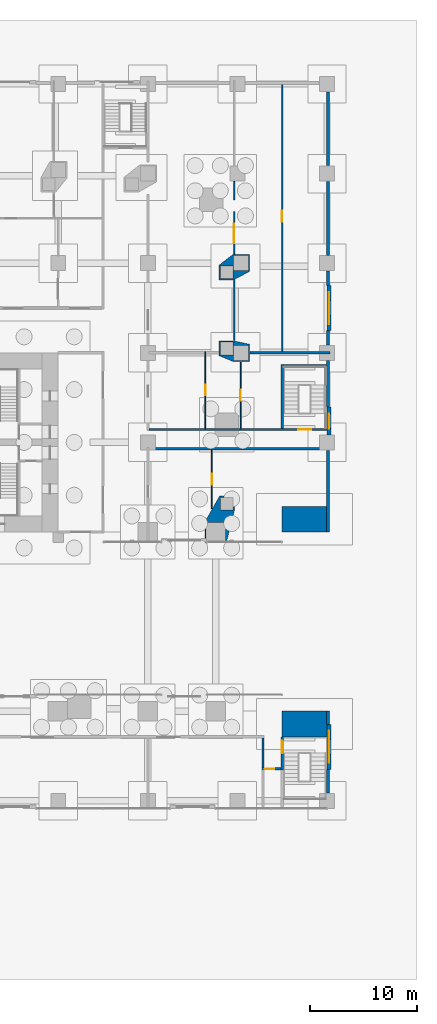
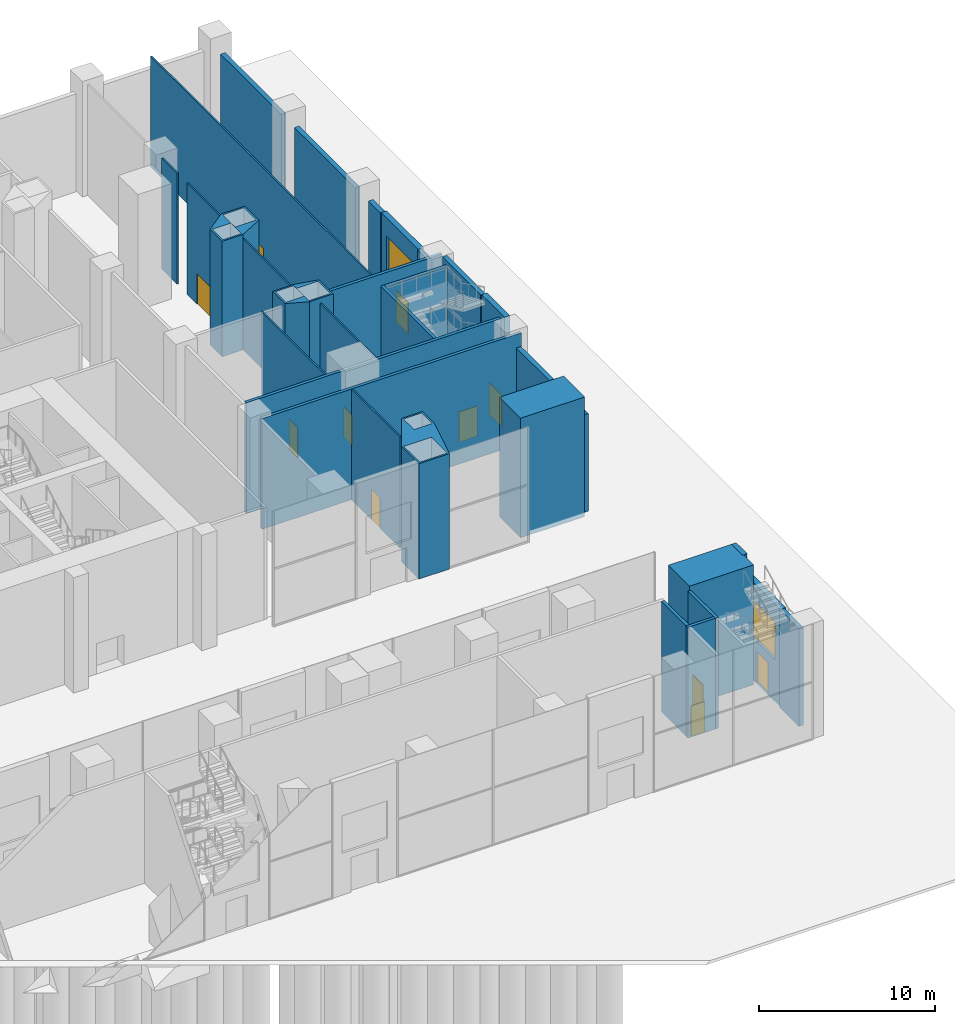
# One storey, part 19 of 31: 31 walls, 11 doors, 2 windows, 13 openings.
"""IFC4 building model written with IfcOpenShell, lengths in metres."""

from ifc_helpers import new_model, si_unit, direction, frame, frame_2d, origin, place, context, subcontext, project, spatial, polyline, rectangle, outline, extrude, material, layer, layer_set, type_object, element, fill, save


model = new_model("IFC4")

# Units and contexts
model_context = context("Model", 3, precision=1e-05, world=origin(), true_north=direction((0.0, 1.0)))
body_context = subcontext(model_context, "Body", "Model", "MODEL_VIEW")
ifc_project = project(units=[si_unit("LENGTHUNIT", "METRE"), si_unit("AREAUNIT", "SQUARE_METRE"), si_unit("VOLUMEUNIT", "CUBIC_METRE"), si_unit("PLANEANGLEUNIT", "RADIAN"), si_unit("MASSUNIT", "GRAM", prefix="KILO")], contexts=[model_context])

# Site, building, storey
site_placement = place(None, origin())
site = spatial("IfcSite", under=ifc_project, at=site_placement, CompositionType="ELEMENT")
building_placement = place(site_placement, origin())
building = spatial("IfcBuilding", under=site, at=building_placement, Name="Marenta Gate Hotel Tower", CompositionType="ELEMENT")
storey_placement = place(building_placement, origin())
storey = spatial("IfcBuildingStorey", under=building, at=storey_placement, Name="L00", CompositionType="ELEMENT", Elevation=0.0)

# Walls
ifc_material_1 = material(Name="Concrete C40 board-marked", Category="concrete")
ifc_layer_1 = layer(ifc_material_1, 0.300048828125)
ifc_layer_set_1 = layer_set([ifc_layer_1], Name="Concrete C40 board-marked")
wall_type_1 = type_object("IfcWallType", Name="Board-marked concrete wall 300 mm", PredefinedType="NOTDEFINED", material=ifc_layer_set_1)
wall_1_placement = place(storey_placement, frame((37.889892578125, -24.4599609375, 0.0), z_axis=(0.0, 0.0, 1.0), x_axis=(0.0, 1.0, 0.0)))
element("IfcWall", 1, at=wall_1_placement, inside=storey, type_object=wall_type_1, Name="L00-CLD-SB-E000", PredefinedType="NOTDEFINED", context=body_context, shape_type="SweptSolid", body=[
    extrude(rectangle(XDim=2.2099609375, YDim=0.300048828125, at=frame_2d((1.10498046875, 0.0))), origin(), (0.0, 0.0, 1.0), 6.780029296875),
])
wall_2_placement = place(storey_placement, frame((37.889892578125, -18.050048828125, 0.0), z_axis=(0.0, 0.0, 1.0), x_axis=(0.0, 1.0, 0.0)))
element("IfcWall", 2, at=wall_2_placement, inside=storey, type_object=wall_type_1, Name="L00-CLD-SB-E001", PredefinedType="NOTDEFINED", context=body_context, shape_type="SweptSolid", body=[
    extrude(rectangle(XDim=1.25, YDim=0.300048828125, at=frame_2d((0.625, 0.0))), origin(), (0.0, 0.0, 1.0), 8.0),
])
wall_3_placement = place(storey_placement, frame((37.889892578125, 0.0, 0.0), z_axis=(0.0, 0.0, 1.0), x_axis=(0.0, 1.0, 0.0)))
element("IfcWall", 3, at=wall_3_placement, inside=storey, type_object=wall_type_1, Name="L00-CLD-NB-E000", PredefinedType="NOTDEFINED", context=body_context, shape_type="SweptSolid", body=[
    extrude(rectangle(XDim=7.659912109375, YDim=0.300048828125, at=frame_2d((3.830078125, 0.0))), origin(), (0.0, 0.0, 1.0), 6.780029296875),
])
wall_4_placement = place(storey_placement, frame((37.889892578125, 11.699951171875, 0.0), z_axis=(0.0, 0.0, 1.0), x_axis=(0.0, 1.0, 0.0)))
element("IfcWall", 4, at=wall_4_placement, inside=storey, type_object=wall_type_1, Name="L00-CLD-NB-E001", PredefinedType="NOTDEFINED", context=body_context, shape_type="SweptSolid", body=[
    extrude(rectangle(XDim=4.360107421875, YDim=0.300048828125, at=frame_2d((2.18017578125, 0.0))), origin(), (0.0, 0.0, 1.0), 8.0),
])
for number, where, z_axis, x_axis, name in (
    (5, (37.889892578125, 17.5400390625, 0.0), (0.0, 0.0, 1.0), (0.0, 1.0, 0.0), "L00-CLD-NB-E002"),
    (6, (37.889892578125, 23.10009765625, 0.0), (0.0, 0.0, 1.0), (0.0, 1.0, 0.0), "L00-CLD-NB-E003"),
):
    element("IfcWall", number, at=place(storey_placement, frame(where, z_axis=z_axis, x_axis=x_axis)), inside=storey, type_object=wall_type_1, Name=name, PredefinedType="NOTDEFINED", context=body_context, shape_type="SweptSolid", body=[
        extrude(rectangle(XDim=1.35986328125, YDim=0.300048828125, at=frame_2d((0.679931640625, 0.0))), origin(), (0.0, 0.0, 1.0), 6.780029296875),
    ])
wall_5_placement = place(storey_placement, frame((37.889892578125, 25.93994140625, 0.0), z_axis=(0.0, 0.0, 1.0), x_axis=(0.0, 1.0, 0.0)))
element("IfcWall", 7, at=wall_5_placement, inside=storey, type_object=wall_type_1, Name="L00-CLD-NB-E004", PredefinedType="NOTDEFINED", context=body_context, shape_type="SweptSolid", body=[
    extrude(rectangle(XDim=6.920166015625, YDim=0.300048828125, at=frame_2d((3.4599609375, 0.0))), origin(), (0.0, 0.0, 1.0), 6.780029296875),
])
wall_6_placement = place(storey_placement, frame((37.889892578125, 34.340087890625, 0.0), z_axis=(0.0, 0.0, 1.0), x_axis=(0.0, 1.0, 0.0)))
element("IfcWall", 8, at=wall_6_placement, inside=storey, type_object=wall_type_1, Name="L00-CLD-NB-E005", PredefinedType="NOTDEFINED", context=body_context, shape_type="SweptSolid", body=[
    extrude(rectangle(XDim=6.919921875, YDim=0.300048828125, at=frame_2d((3.4599609375, 0.0))), origin(), (0.0, 0.0, 1.0), 6.780029296875),
])

# Wall, openings, door, window
ifc_material_2 = material(Name="Concrete C40 board-marked", Category="concrete")
ifc_layer_2 = layer(ifc_material_2, 0.35009765625)
ifc_layer_set_2 = layer_set([ifc_layer_2], Name="Concrete C40 board-marked")
wall_type_2 = type_object("IfcWallType", Name="Entrance portal wall 350 mm", PredefinedType="NOTDEFINED", material=ifc_layer_set_2)
wall_7_placement = place(storey_placement, frame((37.97509765625, -22.25, 0.0), z_axis=(0.0, 0.0, 1.0), x_axis=(0.0, 1.0, 0.0)))
wall_7 = element("IfcWall", 9, at=wall_7_placement, inside=storey, type_object=wall_type_2, Name="L00-CLD-SB-E-P0", PredefinedType="NOTDEFINED", context=body_context, shape_type="SweptSolid", body=[
    extrude(rectangle(XDim=4.199951171875, YDim=0.35009765625, at=frame_2d((2.10009765625, 0.0))), origin(), (0.0, 0.0, 1.0), 6.780029296875),
])
opening_1_placement = place(wall_7_placement, frame((1.39990234375, 0.0, 0.0)))
opening_1 = element("IfcOpeningElement", 10, at=opening_1_placement, cuts=wall_7, Name="Opening X06", PredefinedType="OPENING", context=body_context, shape_type="SweptSolid", body=[
    extrude(rectangle(XDim=1.39990234375, YDim=2.199951171875, at=frame_2d((0.699951171875, 1.10009765625))), frame((0.0, 0.175048828125, 0.0), z_axis=(0.0, -1.0, 0.0), x_axis=(1.0, 0.0, 0.0)), (0.0, 0.0, 1.0), 0.35009765625),
])
opening_2_placement = place(wall_7_placement, frame((0.60009765625, 0.0, 2.89990234375)))
opening_2 = element("IfcOpeningElement", 11, at=opening_2_placement, cuts=wall_7, Name="Opening WT", PredefinedType="OPENING", context=body_context, shape_type="SweptSolid", body=[
    extrude(rectangle(XDim=3.0, YDim=2.60009765625, at=frame_2d((1.5, 1.300048828125))), frame((0.0, 0.175048828125, 0.0), z_axis=(0.0, -1.0, 0.0), x_axis=(1.0, 0.0, 0.0)), (0.0, 0.0, 1.0), 0.35009765625),
])
ifc_material_3 = material(Name="Bronze anodised aluminium and glass", Category="aluminium")
door_type_1 = type_object("IfcDoorType", Name="Exterior door XB 1400x2200", OperationType="NOTDEFINED", PredefinedType="DOOR", material=ifc_material_3)
door_1_placement = place(opening_1_placement, frame((1.39990234375, 0.0, 0.0), z_axis=(0.0, 0.0, 1.0), x_axis=(-1.0, 0.0, 0.0)))
door_1 = element("IfcDoor", 12, at=door_1_placement, inside=storey, type_object=door_type_1, Name="Entrance door X06", OperationType="SINGLE_SWING_LEFT", OverallHeight=2.199951171875, OverallWidth=1.39990234375, PredefinedType="DOOR", context=body_context, shape_type="SweptSolid", body=[
    extrude(rectangle(XDim=1.39990234375, YDim=2.199951171875, at=frame_2d((0.699951171875, 1.10009765625))), frame((0.0, 0.02490234375, 0.0), z_axis=(0.0, -1.0, 0.0), x_axis=(1.0, 0.0, 0.0)), (0.0, 0.0, 1.0), 0.050048828125),
])
fill(opening_1, door_1)
ifc_material_4 = material(Name="Tinted insulated glass in bronze anodised frame", Category="glass")
window_type = type_object("IfcWindowType", Name="Window WT 3000x2600 bronze frame", PartitioningType="SINGLE_PANEL", PredefinedType="WINDOW", material=ifc_material_4)
window_1_placement = place(opening_2_placement, origin())
window_1 = element("IfcWindow", 13, at=window_1_placement, inside=storey, type_object=window_type, Name="Window WT", OverallHeight=2.60009765625, OverallWidth=3.0, PartitioningType="SINGLE_PANEL", PredefinedType="WINDOW", context=body_context, shape_type="SweptSolid", body=[
    extrude(rectangle(XDim=3.0, YDim=2.60009765625, at=frame_2d((1.5, 1.300048828125))), frame((0.0, 0.030029296875, 0.0), z_axis=(0.0, -1.0, 0.0), x_axis=(1.0, 0.0, 0.0)), (0.0, 0.0, 1.0), 0.06005859375),
])
fill(opening_2, window_1)

wall_8_placement = place(storey_placement, frame((37.97509765625, 18.89990234375, 0.0), z_axis=(0.0, 0.0, 1.0), x_axis=(0.0, 1.0, 0.0)))
wall_8 = element("IfcWall", 14, at=wall_8_placement, inside=storey, type_object=wall_type_2, Name="L00-CLD-NB-E-P0", PredefinedType="NOTDEFINED", context=body_context, shape_type="SweptSolid", body=[
    extrude(rectangle(XDim=4.2001953125, YDim=0.35009765625, at=frame_2d((2.10009765625, 0.0))), origin(), (0.0, 0.0, 1.0), 6.780029296875),
])
opening_3_placement = place(wall_8_placement, frame((1.39990234375, 0.0, 0.0)))
opening_3 = element("IfcOpeningElement", 15, at=opening_3_placement, cuts=wall_8, Name="Opening X14", PredefinedType="OPENING", context=body_context, shape_type="SweptSolid", body=[
    extrude(rectangle(XDim=1.39990234375, YDim=2.199951171875, at=frame_2d((0.699951171875, 1.10009765625))), frame((0.0, 0.175048828125, 0.0), z_axis=(0.0, -1.0, 0.0), x_axis=(1.0, 0.0, 0.0)), (0.0, 0.0, 1.0), 0.35009765625),
])
opening_4_placement = place(wall_8_placement, frame((0.60009765625, 0.0, 2.89990234375)))
opening_4 = element("IfcOpeningElement", 16, at=opening_4_placement, cuts=wall_8, Name="Opening WT", PredefinedType="OPENING", context=body_context, shape_type="SweptSolid", body=[
    extrude(rectangle(XDim=3.0, YDim=2.60009765625, at=frame_2d((1.5, 1.300048828125))), frame((0.0, 0.175048828125, 0.0), z_axis=(0.0, -1.0, 0.0), x_axis=(1.0, 0.0, 0.0)), (0.0, 0.0, 1.0), 0.35009765625),
])
door_2_placement = place(opening_3_placement, frame((1.39990234375, 0.0, 0.0), z_axis=(0.0, 0.0, 1.0), x_axis=(-1.0, 0.0, 0.0)))
door_2 = element("IfcDoor", 17, at=door_2_placement, inside=storey, type_object=door_type_1, Name="Entrance door X14", OperationType="SINGLE_SWING_LEFT", OverallHeight=2.199951171875, OverallWidth=1.39990234375, PredefinedType="DOOR", context=body_context, shape_type="SweptSolid", body=[
    extrude(rectangle(XDim=1.39990234375, YDim=2.199951171875, at=frame_2d((0.699951171875, 1.10009765625))), frame((0.0, 0.02490234375, 0.0), z_axis=(0.0, -1.0, 0.0), x_axis=(1.0, 0.0, 0.0)), (0.0, 0.0, 1.0), 0.050048828125),
])
fill(opening_3, door_2)
window_2_placement = place(opening_4_placement, origin())
window_2 = element("IfcWindow", 18, at=window_2_placement, inside=storey, type_object=window_type, Name="Window WT", OverallHeight=2.60009765625, OverallWidth=3.0, PartitioningType="SINGLE_PANEL", PredefinedType="WINDOW", context=body_context, shape_type="SweptSolid", body=[
    extrude(rectangle(XDim=3.0, YDim=2.60009765625, at=frame_2d((1.5, 1.300048828125))), frame((0.0, 0.030029296875, 0.0), z_axis=(0.0, -1.0, 0.0), x_axis=(1.0, 0.0, 0.0)), (0.0, 0.0, 1.0), 0.06005859375),
])
fill(opening_4, window_2)

# Wall, opening, door
wall_9_placement = place(storey_placement, frame((37.97509765625, 9.10009765625, 0.0), z_axis=(0.0, 0.0, 1.0), x_axis=(0.0, 1.0, 0.0)))
wall_9 = element("IfcWall", 19, at=wall_9_placement, inside=storey, type_object=wall_type_2, Name="L00-CLD-NB-E-P1", PredefinedType="NOTDEFINED", context=body_context, shape_type="SweptSolid", body=[
    extrude(rectangle(XDim=2.599853515625, YDim=0.35009765625, at=frame_2d((1.2998046875, 0.0))), origin(), (0.0, 0.0, 1.0), 8.0),
])
opening_5_placement = place(wall_9_placement, frame((0.60009765625, 0.0, 0.0)))
opening_5 = element("IfcOpeningElement", 20, at=opening_5_placement, cuts=wall_9, Name="Opening X15", PredefinedType="OPENING", context=body_context, shape_type="SweptSolid", body=[
    extrude(rectangle(XDim=1.39990234375, YDim=2.199951171875, at=frame_2d((0.699951171875, 1.10009765625))), frame((0.0, 0.175048828125, 0.0), z_axis=(0.0, -1.0, 0.0), x_axis=(1.0, 0.0, 0.0)), (0.0, 0.0, 1.0), 0.35009765625),
])
door_3_placement = place(opening_5_placement, frame((1.39990234375, 0.0, 0.0), z_axis=(0.0, 0.0, 1.0), x_axis=(-1.0, 0.0, 0.0)))
door_3 = element("IfcDoor", 21, at=door_3_placement, inside=storey, type_object=door_type_1, Name="Entrance door X15", OperationType="SINGLE_SWING_LEFT", OverallHeight=2.199951171875, OverallWidth=1.39990234375, PredefinedType="DOOR", context=body_context, shape_type="SweptSolid", body=[
    extrude(rectangle(XDim=1.39990234375, YDim=2.199951171875, at=frame_2d((0.699951171875, 1.10009765625))), frame((0.0, 0.02490234375, 0.0), z_axis=(0.0, -1.0, 0.0), x_axis=(1.0, 0.0, 0.0)), (0.0, 0.0, 1.0), 0.050048828125),
])
fill(opening_5, door_3)

# Walls
ifc_material_5 = material(Name="Concrete C80", Category="concrete")
ifc_layer_3 = layer(ifc_material_5, 2.39990234375)
ifc_layer_set_3 = layer_set([ifc_layer_3], Name="Concrete C80")
wall_type_3 = type_object("IfcWallType", Name="Gate pier wall 2400 C80", PredefinedType="SOLIDWALL", material=ifc_layer_set_3)
for number, where, z_axis, x_axis, name in (
    (22, (33.60009765625, -18.0, -0.300048828125), (0.0, 0.0, 1.0), (1.0, 0.0, 0.0), "PW1 L00-PWL-ES"),
    (23, (33.60009765625, 1.199951171875, -0.300048828125), (0.0, 0.0, 1.0), (1.0, 0.0, 0.0), "PW1 L00-PWL-EN"),
):
    element("IfcWall", number, at=place(storey_placement, frame(where, z_axis=z_axis, x_axis=x_axis)), inside=storey, type_object=wall_type_3, Name=name, PredefinedType="SOLIDWALL", context=body_context, shape_type="SweptSolid", body=[
        extrude(rectangle(XDim=4.199951171875, YDim=2.39990234375, at=frame_2d((2.10009765625, 0.0))), origin(), (0.0, 0.0, 1.0), 8.300048828125),
    ])
ifc_material_6 = material(Name="Concrete C70", Category="concrete")
ifc_layer_4 = layer(ifc_material_6, 1.60009765625)
ifc_layer_set_4 = layer_set([ifc_layer_4], Name="Concrete C70")
wall_type_4 = type_object("IfcWallType", Name="Pier wall board-marked concrete C70", PredefinedType="SOLIDWALL", material=ifc_layer_set_4)
wall_10_placement = place(storey_placement, origin())
element("IfcWall", 24, at=wall_10_placement, inside=storey, type_object=wall_type_4, Name="L00-PIER-10", PredefinedType="SOLIDWALL", context=body_context, shape_type="SweptSolid", body=[
    extrude(outline(polyline([(28.97900390625, 26.02001953125), (30.5400390625, 26.02001953125), (30.5400390625, 24.427490234375), (29.029541015625, 23.636474609375), (27.679931640625, 23.636474609375), (27.679931640625, 25.015380859375), (28.97900390625, 26.02001953125)]), holes=[polyline([(30.419921875, 24.5), (30.419921875, 25.89990234375), (29.02001953125, 25.89990234375), (29.02001953125, 24.5), (30.419921875, 24.5)]), polyline([(29.0, 23.75634765625), (29.0, 24.956298828125), (27.800048828125, 24.956298828125), (27.800048828125, 23.75634765625), (29.0, 23.75634765625)])]), origin(), (0.0, 0.0, 1.0), 8.0),
])
wall_11_placement = place(storey_placement, origin())
element("IfcWall", 25, at=wall_11_placement, inside=storey, type_object=wall_type_4, Name="L00-PIER-11", PredefinedType="SOLIDWALL", context=body_context, shape_type="SweptSolid", body=[
    extrude(outline(polyline([(27.679931640625, 16.52294921875), (27.679931640625, 17.923095703125), (29.0126953125, 17.923095703125), (30.5400390625, 17.59716796875), (30.5400390625, 15.97998046875), (28.996337890625, 15.97998046875), (27.679931640625, 16.52294921875)]), holes=[polyline([(29.02001953125, 16.10009765625), (30.419921875, 16.10009765625), (30.419921875, 17.5), (29.02001953125, 17.5), (29.02001953125, 16.10009765625)]), polyline([(27.800048828125, 16.603271484375), (29.0, 16.603271484375), (29.0, 17.80322265625), (27.800048828125, 17.80322265625), (27.800048828125, 16.603271484375)])]), origin(), (0.0, 0.0, 1.0), 8.0),
])
wall_12_placement = place(storey_placement, origin())
element("IfcWall", 26, at=wall_12_placement, inside=storey, type_object=wall_type_4, Name="L00-PIER-12", PredefinedType="SOLIDWALL", context=body_context, shape_type="SweptSolid", body=[
    extrude(outline(polyline([(27.730224609375, 3.369140625), (29.1201171875, 3.369140625), (29.1201171875, 2.034423828125), (28.356689453125, -1.02001953125), (26.343017578125, -1.02001953125), (26.343017578125, 0.931640625), (27.730224609375, 3.369140625)]), holes=[polyline([(29.0, 2.049072265625), (29.0, 3.2490234375), (27.800048828125, 3.2490234375), (27.800048828125, 2.049072265625), (29.0, 2.049072265625)]), polyline([(28.262939453125, -0.89990234375), (28.262939453125, 0.89990234375), (26.462890625, 0.89990234375), (26.462890625, -0.89990234375), (28.262939453125, -0.89990234375)])]), origin(), (0.0, 0.0, 1.0), 8.0),
])

# Wall, opening, door
ifc_material_7 = material(Name="Concrete blockwork", Category="masonry")
ifc_layer_5 = layer(ifc_material_7, 0.199951171875)
ifc_layer_set_5 = layer_set([ifc_layer_5], Name="Concrete blockwork")
wall_type_5 = type_object("IfcWallType", Name="Room corridor wall 200 REI 180", PredefinedType="PARTITIONING", material=ifc_layer_set_5)
wall_13_placement = place(storey_placement, frame((33.60009765625, -22.300048828125, 0.0), z_axis=(0.0, 0.0, 1.0), x_axis=(0.0, 1.0, 0.0)))
wall_13 = element("IfcWall", 27, at=wall_13_placement, inside=storey, type_object=wall_type_5, Name="L00-PTN-W003", PredefinedType="PARTITIONING", context=body_context, shape_type="SweptSolid", body=[
    extrude(rectangle(XDim=3.10009765625, YDim=0.199951171875, at=frame_2d((1.550048828125, 0.0))), origin(), (0.0, 0.0, 1.0), 7.679931640625),
])
opening_6_placement = place(wall_13_placement, frame((1.550048828125, 0.0, 0.0)))
opening_6 = element("IfcOpeningElement", 28, at=opening_6_placement, cuts=wall_13, Name="Opening S01-28", PredefinedType="OPENING", context=body_context, shape_type="SweptSolid", body=[
    extrude(rectangle(XDim=1.199951171875, YDim=2.10009765625, at=frame_2d((0.60009765625, 1.050048828125))), frame((0.0, 0.10009765625, 0.0), z_axis=(0.0, -1.0, 0.0), x_axis=(1.0, 0.0, 0.0)), (0.0, 0.0, 1.0), 0.199951171875),
])
ifc_material_8 = material(Name="Hollow steel door set", Category="steel")
door_type_2 = type_object("IfcDoorType", Name="Podium stair door 1200x2100 EI 60", OperationType="NOTDEFINED", PredefinedType="DOOR", material=ifc_material_8)
door_4_placement = place(opening_6_placement, origin())
door_4 = element("IfcDoor", 29, at=door_4_placement, inside=storey, type_object=door_type_2, Name="L00-PD-D028", OperationType="SINGLE_SWING_LEFT", OverallHeight=2.10009765625, OverallWidth=1.199951171875, PredefinedType="DOOR", context=body_context, shape_type="SweptSolid", body=[
    extrude(rectangle(XDim=1.199951171875, YDim=2.10009765625, at=frame_2d((0.60009765625, 1.050048828125))), frame((0.0, 0.02490234375, 0.0), z_axis=(0.0, -1.0, 0.0), x_axis=(1.0, 0.0, 0.0)), (0.0, 0.0, 1.0), 0.050048828125),
])
fill(opening_6, door_4)

# Wall
wall_14_placement = place(storey_placement, frame((31.800048828125, -22.10009765625, 0.0), z_axis=(0.0, 0.0, 1.0), x_axis=(0.0, 1.0, 0.0)))
element("IfcWall", 30, at=wall_14_placement, inside=storey, type_object=wall_type_5, Name="L00-PTN-W006", PredefinedType="PARTITIONING", context=body_context, shape_type="SweptSolid", body=[
    extrude(rectangle(XDim=2.800048828125, YDim=0.199951171875, at=frame_2d((1.39990234375, 0.0))), origin(), (0.0, 0.0, 1.0), 7.679931640625),
])

# Wall, opening, door
wall_15_placement = place(storey_placement, frame((31.699951171875, -22.199951171875, 0.0), z_axis=(0.0, 0.0, 1.0), x_axis=(1.0, 0.0, 0.0)))
wall_15 = element("IfcWall", 31, at=wall_15_placement, inside=storey, type_object=wall_type_5, Name="L00-PTN-W015", PredefinedType="PARTITIONING", context=body_context, shape_type="SweptSolid", body=[
    extrude(rectangle(XDim=1.800048828125, YDim=0.199951171875, at=frame_2d((0.89990234375, 0.0))), origin(), (0.0, 0.0, 1.0), 7.679931640625),
])
opening_7_placement = place(wall_15_placement, frame((0.25, 0.0, 0.0)))
opening_7 = element("IfcOpeningElement", 32, at=opening_7_placement, cuts=wall_15, Name="Opening S01-29", PredefinedType="OPENING", context=body_context, shape_type="SweptSolid", body=[
    extrude(rectangle(XDim=0.89990234375, YDim=2.10009765625, at=frame_2d((0.449951171875, 1.050048828125))), frame((0.0, 0.10009765625, 0.0), z_axis=(0.0, -1.0, 0.0), x_axis=(1.0, 0.0, 0.0)), (0.0, 0.0, 1.0), 0.199951171875),
])
ifc_material_9 = material(Name="Hollow steel door set", Category="steel")
door_type_3 = type_object("IfcDoorType", Name="Room service door 900x2100 EI 60", OperationType="NOTDEFINED", PredefinedType="DOOR", material=ifc_material_9)
door_5_placement = place(opening_7_placement, origin())
door_5 = element("IfcDoor", 33, at=door_5_placement, inside=storey, type_object=door_type_3, Name="L00-PD-D029", OperationType="SINGLE_SWING_RIGHT", OverallHeight=2.10009765625, OverallWidth=0.89990234375, PredefinedType="DOOR", context=body_context, shape_type="SweptSolid", body=[
    extrude(rectangle(XDim=0.89990234375, YDim=2.10009765625, at=frame_2d((0.449951171875, 1.050048828125))), frame((0.0, 0.02490234375, 0.0), z_axis=(0.0, -1.0, 0.0), x_axis=(1.0, 0.0, 0.0)), (0.0, 0.0, 1.0), 0.050048828125),
])
fill(opening_7, door_5)

# Wall
wall_16_placement = place(storey_placement, frame((21.10009765625, 7.800048828125, 0.0), z_axis=(0.0, 0.0, 1.0), x_axis=(1.0, 0.0, 0.0)))
element("IfcWall", 34, at=wall_16_placement, inside=storey, type_object=wall_type_5, Name="L00-PTN-W041", PredefinedType="PARTITIONING", context=body_context, shape_type="SweptSolid", body=[
    extrude(rectangle(XDim=17.0, YDim=0.199951171875, at=frame_2d((8.5, 0.0))), origin(), (0.0, 0.0, 1.0), 7.679931640625),
])

# Wall, opening, door
wall_17_placement = place(storey_placement, frame((21.10009765625, 9.60009765625, 0.0), z_axis=(0.0, 0.0, 1.0), x_axis=(1.0, 0.0, 0.0)))
wall_17 = element("IfcWall", 35, at=wall_17_placement, inside=storey, type_object=wall_type_5, Name="L00-PTN-W044", PredefinedType="PARTITIONING", context=body_context, shape_type="SweptSolid", body=[
    extrude(rectangle(XDim=16.699951171875, YDim=0.199951171875, at=frame_2d((8.35009765625, 0.0))), origin(), (0.0, 0.0, 1.0), 7.679931640625),
])
opening_8_placement = place(wall_17_placement, frame((14.0, 0.0, 0.0)))
opening_8 = element("IfcOpeningElement", 36, at=opening_8_placement, cuts=wall_17, Name="Opening S01-40", PredefinedType="OPENING", context=body_context, shape_type="SweptSolid", body=[
    extrude(rectangle(XDim=1.199951171875, YDim=2.10009765625, at=frame_2d((0.60009765625, 1.050048828125))), frame((0.0, 0.10009765625, 0.0), z_axis=(0.0, -1.0, 0.0), x_axis=(1.0, 0.0, 0.0)), (0.0, 0.0, 1.0), 0.199951171875),
])
door_6_placement = place(opening_8_placement, origin())
door_6 = element("IfcDoor", 37, at=door_6_placement, inside=storey, type_object=door_type_2, Name="L00-PD-D040", OperationType="SINGLE_SWING_LEFT", OverallHeight=2.10009765625, OverallWidth=1.199951171875, PredefinedType="DOOR", context=body_context, shape_type="SweptSolid", body=[
    extrude(rectangle(XDim=1.199951171875, YDim=2.10009765625, at=frame_2d((0.60009765625, 1.050048828125))), frame((0.0, 0.02490234375, 0.0), z_axis=(0.0, -1.0, 0.0), x_axis=(1.0, 0.0, 0.0)), (0.0, 0.0, 1.0), 0.050048828125),
])
fill(opening_8, door_6)

ifc_material_10 = material(Name="Gypsum board on steel stud", Category="steel")
ifc_layer_6 = layer(ifc_material_10, 0.10009765625)
ifc_layer_set_6 = layer_set([ifc_layer_6], Name="Gypsum board on steel stud")
wall_type_6 = type_object("IfcWallType", Name="Room partition 100", PredefinedType="PARTITIONING", material=ifc_layer_set_6)
wall_18_placement = place(storey_placement, frame((33.60009765625, 16.89990234375, 0.0), z_axis=(0.0, 0.0, 1.0), x_axis=(0.0, 1.0, 0.0)))
wall_18 = element("IfcWall", 38, at=wall_18_placement, inside=storey, type_object=wall_type_6, Name="L00-PTN-W004", PredefinedType="PARTITIONING", context=body_context, shape_type="SweptSolid", body=[
    extrude(rectangle(XDim=25.0400390625, YDim=0.10009765625, at=frame_2d((12.52001953125, 0.0))), origin(), (0.0, 0.0, 1.0), 7.679931640625),
])
opening_9_placement = place(wall_18_placement, frame((12.199951171875, 0.0, 0.0)))
opening_9 = element("IfcOpeningElement", 39, at=opening_9_placement, cuts=wall_18, Name="Opening S01-16", PredefinedType="OPENING", context=body_context, shape_type="SweptSolid", body=[
    extrude(rectangle(XDim=1.0, YDim=2.10009765625, at=frame_2d((0.5, 1.050048828125))), frame((0.0, 0.050048828125, 0.0), z_axis=(0.0, -1.0, 0.0), x_axis=(1.0, 0.0, 0.0)), (0.0, 0.0, 1.0), 0.10009765625),
])
ifc_material_11 = material(Name="Hollow steel door set", Category="steel")
door_type_4 = type_object("IfcDoorType", Name="Room service door 1000x2100", OperationType="NOTDEFINED", PredefinedType="DOOR", material=ifc_material_11)
door_7_placement = place(opening_9_placement, origin())
door_7 = element("IfcDoor", 40, at=door_7_placement, inside=storey, type_object=door_type_4, Name="L00-PD-D016", OperationType="SINGLE_SWING_RIGHT", OverallHeight=2.10009765625, OverallWidth=1.0, PredefinedType="DOOR", context=body_context, shape_type="SweptSolid", body=[
    extrude(rectangle(XDim=1.0, YDim=2.10009765625, at=frame_2d((0.5, 1.050048828125))), frame((0.0, 0.02490234375, 0.0), z_axis=(0.0, -1.0, 0.0), x_axis=(1.0, 0.0, 0.0)), (0.0, 0.0, 1.0), 0.050048828125),
])
fill(opening_9, door_7)

wall_19_placement = place(storey_placement, frame((29.699951171875, 9.699951171875, 0.0), z_axis=(0.0, 0.0, 1.0), x_axis=(0.0, 1.0, 0.0)))
wall_19 = element("IfcWall", 41, at=wall_19_placement, inside=storey, type_object=wall_type_6, Name="L00-PTN-W007", PredefinedType="PARTITIONING", context=body_context, shape_type="SweptSolid", body=[
    extrude(rectangle(XDim=6.22998046875, YDim=0.10009765625, at=frame_2d((3.114990234375, 0.0))), origin(), (0.0, 0.0, 1.0), 7.679931640625),
])
opening_10_placement = place(wall_19_placement, frame((2.614990234375, 0.0, 0.0)))
opening_10 = element("IfcOpeningElement", 42, at=opening_10_placement, cuts=wall_19, Name="Opening S01-14", PredefinedType="OPENING", context=body_context, shape_type="SweptSolid", body=[
    extrude(rectangle(XDim=1.0, YDim=2.10009765625, at=frame_2d((0.5, 1.050048828125))), frame((0.0, 0.050048828125, 0.0), z_axis=(0.0, -1.0, 0.0), x_axis=(1.0, 0.0, 0.0)), (0.0, 0.0, 1.0), 0.10009765625),
])
door_8_placement = place(opening_10_placement, origin())
door_8 = element("IfcDoor", 43, at=door_8_placement, inside=storey, type_object=door_type_4, Name="L00-PD-D014", OperationType="SINGLE_SWING_RIGHT", OverallHeight=2.10009765625, OverallWidth=1.0, PredefinedType="DOOR", context=body_context, shape_type="SweptSolid", body=[
    extrude(rectangle(XDim=1.0, YDim=2.10009765625, at=frame_2d((0.5, 1.050048828125))), frame((0.0, 0.02490234375, 0.0), z_axis=(0.0, -1.0, 0.0), x_axis=(1.0, 0.0, 0.0)), (0.0, 0.0, 1.0), 0.050048828125),
])
fill(opening_10, door_8)

# Wall
wall_20_placement = place(storey_placement, frame((29.10009765625, 17.9560546875, 0.0), z_axis=(0.0, 0.0, 1.0), x_axis=(0.0, 1.0, 0.0)))
element("IfcWall", 44, at=wall_20_placement, inside=storey, type_object=wall_type_6, Name="L00-PTN-W008", PredefinedType="PARTITIONING", context=body_context, shape_type="SweptSolid", body=[
    extrude(rectangle(XDim=5.69482421875, YDim=0.10009765625, at=frame_2d((2.847412109375, 0.0))), origin(), (0.0, 0.0, 1.0), 7.679931640625),
])

# Wall, opening, door
wall_21_placement = place(storey_placement, frame((29.10009765625, 26.0400390625, 0.0), z_axis=(0.0, 0.0, 1.0), x_axis=(0.0, 1.0, 0.0)))
wall_21 = element("IfcWall", 45, at=wall_21_placement, inside=storey, type_object=wall_type_6, Name="L00-PTN-W009", PredefinedType="PARTITIONING", context=body_context, shape_type="SweptSolid", body=[
    extrude(rectangle(XDim=3.995849609375, YDim=0.10009765625, at=frame_2d((1.998046875, 0.0))), origin(), (0.0, 0.0, 1.0), 7.679931640625),
])
opening_11_placement = place(wall_21_placement, frame((1.048095703125, 0.0, 0.0)))
opening_11 = element("IfcOpeningElement", 46, at=opening_11_placement, cuts=wall_21, Name="Opening S01-42", PredefinedType="OPENING", context=body_context, shape_type="SweptSolid", body=[
    extrude(rectangle(XDim=1.800048828125, YDim=2.10009765625, at=frame_2d((0.89990234375, 1.050048828125))), frame((0.0, 0.050048828125, 0.0), z_axis=(0.0, -1.0, 0.0), x_axis=(1.0, 0.0, 0.0)), (0.0, 0.0, 1.0), 0.10009765625),
])
ifc_material_12 = material(Name="Timber door leaf", Category="wood")
door_type_5 = type_object("IfcDoorType", Name="Room amenity door 1800x2100", OperationType="DOUBLE_DOOR_SINGLE_SWING", PredefinedType="DOOR", material=ifc_material_12)
door_9_placement = place(opening_11_placement, origin())
door_9 = element("IfcDoor", 47, at=door_9_placement, inside=storey, type_object=door_type_5, Name="L00-PD-D042", OperationType="DOUBLE_DOOR_SINGLE_SWING", OverallHeight=2.10009765625, OverallWidth=1.800048828125, PredefinedType="DOOR", context=body_context, shape_type="SweptSolid", body=[
    extrude(rectangle(XDim=1.800048828125, YDim=2.10009765625, at=frame_2d((0.89990234375, 1.050048828125))), frame((0.0, 0.02490234375, 0.0), z_axis=(0.0, -1.0, 0.0), x_axis=(1.0, 0.0, 0.0)), (0.0, 0.0, 1.0), 0.050048828125),
])
fill(opening_11, door_9)

# Wall
wall_22_placement = place(storey_placement, frame((29.10009765625, 31.135986328125, 0.0), z_axis=(0.0, 0.0, 1.0), x_axis=(0.0, 1.0, 0.0)))
element("IfcWall", 48, at=wall_22_placement, inside=storey, type_object=wall_type_6, Name="L00-PTN-W010", PredefinedType="PARTITIONING", context=body_context, shape_type="SweptSolid", body=[
    extrude(rectangle(XDim=1.743896484375, YDim=0.10009765625, at=frame_2d((0.8720703125, 0.0))), origin(), (0.0, 0.0, 1.0), 7.679931640625),
])

# Wall, opening, door
wall_23_placement = place(storey_placement, frame((27.0, 2.18701171875, 0.0), z_axis=(0.0, 0.0, 1.0), x_axis=(0.0, 1.0, 0.0)))
wall_23 = element("IfcWall", 49, at=wall_23_placement, inside=storey, type_object=wall_type_6, Name="L00-PTN-W012", PredefinedType="PARTITIONING", context=body_context, shape_type="SweptSolid", body=[
    extrude(rectangle(XDim=5.512939453125, YDim=0.10009765625, at=frame_2d((2.75634765625, 0.0))), origin(), (0.0, 0.0, 1.0), 7.679931640625),
])
opening_12_placement = place(wall_23_placement, frame((2.257080078125, 0.0, 0.0)))
opening_12 = element("IfcOpeningElement", 50, at=opening_12_placement, cuts=wall_23, Name="Opening S01-11", PredefinedType="OPENING", context=body_context, shape_type="SweptSolid", body=[
    extrude(rectangle(XDim=1.0, YDim=2.10009765625, at=frame_2d((0.5, 1.050048828125))), frame((0.0, 0.050048828125, 0.0), z_axis=(0.0, -1.0, 0.0), x_axis=(1.0, 0.0, 0.0)), (0.0, 0.0, 1.0), 0.10009765625),
])
door_10_placement = place(opening_12_placement, origin())
door_10 = element("IfcDoor", 51, at=door_10_placement, inside=storey, type_object=door_type_4, Name="L00-PD-D011", OperationType="SINGLE_SWING_RIGHT", OverallHeight=2.10009765625, OverallWidth=1.0, PredefinedType="DOOR", context=body_context, shape_type="SweptSolid", body=[
    extrude(rectangle(XDim=1.0, YDim=2.10009765625, at=frame_2d((0.5, 1.050048828125))), frame((0.0, 0.02490234375, 0.0), z_axis=(0.0, -1.0, 0.0), x_axis=(1.0, 0.0, 0.0)), (0.0, 0.0, 1.0), 0.050048828125),
])
fill(opening_12, door_10)

wall_24_placement = place(storey_placement, frame((26.39990234375, 9.699951171875, 0.0), z_axis=(0.0, 0.0, 1.0), x_axis=(0.0, 1.0, 0.0)))
wall_24 = element("IfcWall", 52, at=wall_24_placement, inside=storey, type_object=wall_type_6, Name="L00-PTN-W013", PredefinedType="PARTITIONING", context=body_context, shape_type="SweptSolid", body=[
    extrude(rectangle(XDim=7.199951171875, YDim=0.10009765625, at=frame_2d((3.60009765625, 0.0))), origin(), (0.0, 0.0, 1.0), 7.679931640625),
])
opening_13_placement = place(wall_24_placement, frame((3.10009765625, 0.0, 0.0)))
opening_13 = element("IfcOpeningElement", 53, at=opening_13_placement, cuts=wall_24, Name="Opening S01-13", PredefinedType="OPENING", context=body_context, shape_type="SweptSolid", body=[
    extrude(rectangle(XDim=1.0, YDim=2.10009765625, at=frame_2d((0.5, 1.050048828125))), frame((0.0, 0.050048828125, 0.0), z_axis=(0.0, -1.0, 0.0), x_axis=(1.0, 0.0, 0.0)), (0.0, 0.0, 1.0), 0.10009765625),
])
ifc_material_13 = material(Name="Timber door leaf", Category="wood")
door_type_6 = type_object("IfcDoorType", Name="Room inner door 1000x2100", OperationType="NOTDEFINED", PredefinedType="DOOR", material=ifc_material_13)
door_11_placement = place(opening_13_placement, origin())
door_11 = element("IfcDoor", 54, at=door_11_placement, inside=storey, type_object=door_type_6, Name="L00-PD-D013", OperationType="SINGLE_SWING_RIGHT", OverallHeight=2.10009765625, OverallWidth=1.0, PredefinedType="DOOR", context=body_context, shape_type="SweptSolid", body=[
    extrude(rectangle(XDim=1.0, YDim=2.10009765625, at=frame_2d((0.5, 1.050048828125))), frame((0.0, 0.02490234375, 0.0), z_axis=(0.0, -1.0, 0.0), x_axis=(1.0, 0.0, 0.0)), (0.0, 0.0, 1.0), 0.050048828125),
])
fill(opening_13, door_11)

# Walls
ifc_material_14 = material(Name="Concrete blockwork", Category="masonry")
ifc_layer_7 = layer(ifc_material_14, 0.199951171875)
ifc_layer_set_7 = layer_set([ifc_layer_7], Name="Concrete blockwork")
wall_type_7 = type_object("IfcWallType", Name="Room party wall 200 EI 120", PredefinedType="PARTITIONING", material=ifc_layer_set_7)
wall_25_placement = place(storey_placement, frame((30.590087890625, 16.800048828125, 0.0), z_axis=(0.0, 0.0, 1.0), x_axis=(1.0, 0.0, 0.0)))
element("IfcWall", 55, at=wall_25_placement, inside=storey, type_object=wall_type_7, Name="L00-PTN-W055", PredefinedType="PARTITIONING", context=body_context, shape_type="SweptSolid", body=[
    extrude(rectangle(XDim=7.510009765625, YDim=0.199951171875, at=frame_2d((3.7548828125, 0.0))), origin(), (0.0, 0.0, 1.0), 7.679931640625),
])
ifc_material_15 = material(Name="Concrete blockwork", Category="masonry")
ifc_layer_8 = layer(ifc_material_15, 0.199951171875)
ifc_layer_set_8 = layer_set([ifc_layer_8], Name="Concrete blockwork")
wall_type_8 = type_object("IfcWallType", Name="Room party wall 200 REI 180", PredefinedType="PARTITIONING", material=ifc_layer_set_8)
wall_26_placement = place(storey_placement, frame((33.60009765625, 9.699951171875, 0.0), z_axis=(0.0, 0.0, 1.0), x_axis=(0.0, 1.0, 0.0)))
element("IfcWall", 56, at=wall_26_placement, inside=storey, type_object=wall_type_8, Name="L00-PTN-W002", PredefinedType="PARTITIONING", context=body_context, shape_type="SweptSolid", body=[
    extrude(rectangle(XDim=6.0, YDim=0.199951171875, at=frame_2d((3.0, 0.0))), origin(), (0.0, 0.0, 1.0), 7.679931640625),
])
wall_27_placement = place(storey_placement, frame((33.699951171875, 15.60009765625, 0.0), z_axis=(0.0, 0.0, 1.0), x_axis=(1.0, 0.0, 0.0)))
element("IfcWall", 57, at=wall_27_placement, inside=storey, type_object=wall_type_8, Name="L00-PTN-W049", PredefinedType="PARTITIONING", context=body_context, shape_type="SweptSolid", body=[
    extrude(rectangle(XDim=4.0400390625, YDim=0.199951171875, at=frame_2d((2.02001953125, 0.0))), origin(), (0.0, 0.0, 1.0), 7.679931640625),
])

save(model, "model.ifc")
